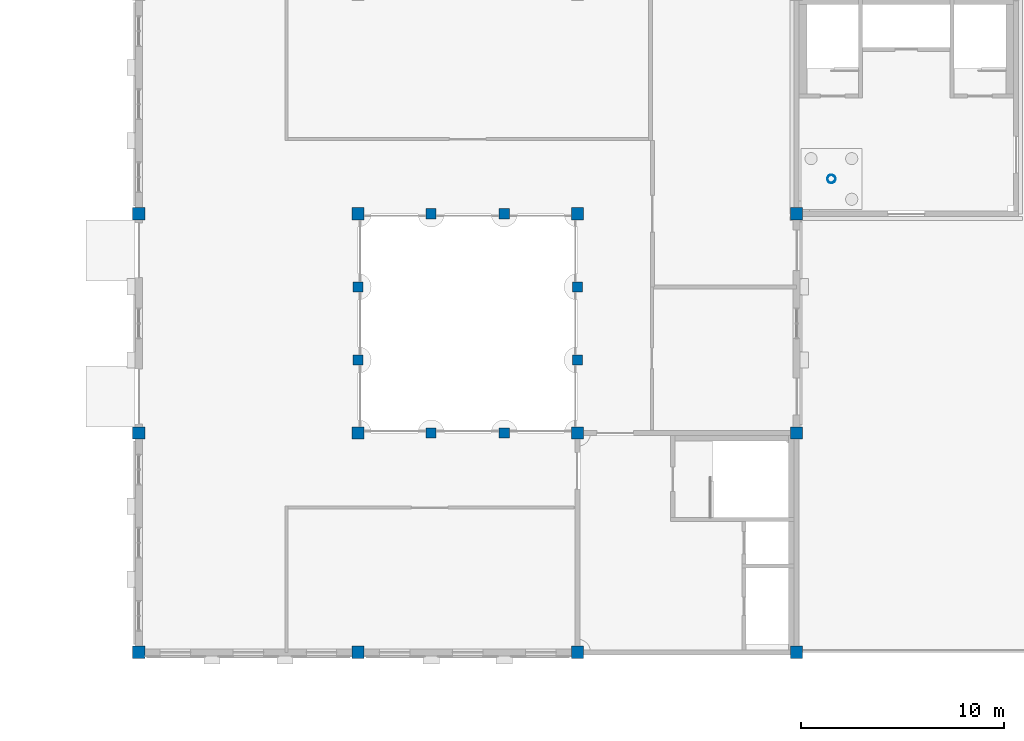
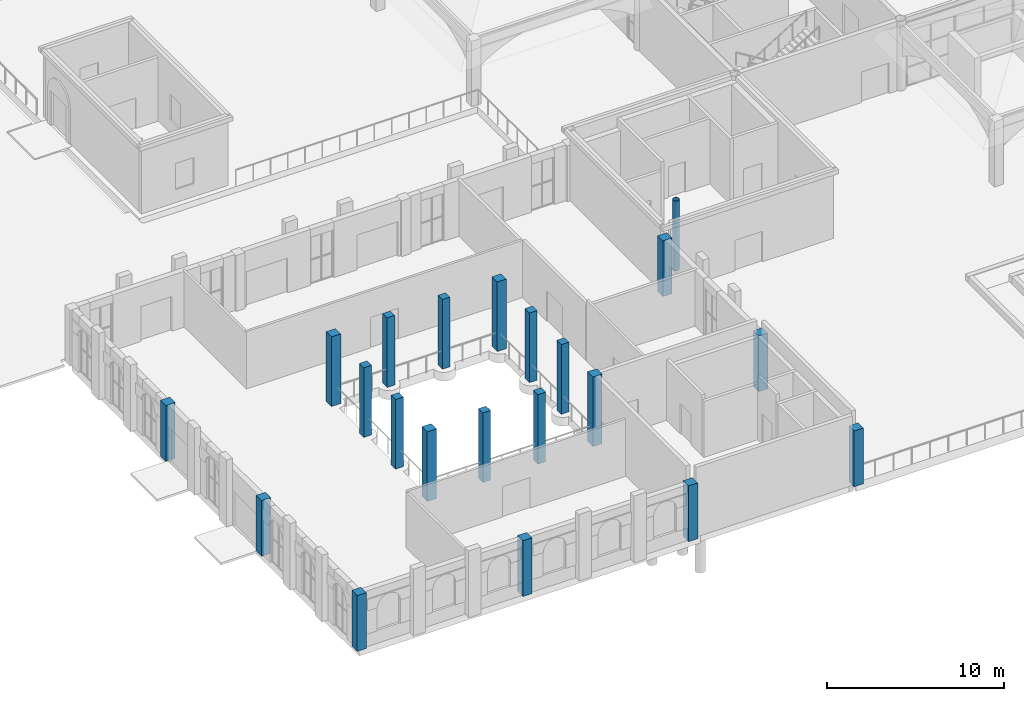
# One storey, part 2 of 91: 21 columns.
"""IFC4 building model written with IfcOpenShell, lengths in metres."""

from ifc_helpers import new_model, si_unit, direction, frame, origin, origin_2d, place, context, subcontext, project, spatial, rectangle, hollow_circle, extrude, material, material_profile, profile_set, type_object, element, save


model = new_model("IFC4")

# Units and contexts
model_context = context("Model", 3, precision=1e-05, world=origin(), true_north=direction((0.0, 1.0)))
body_context = subcontext(model_context, "Body", "Model", "MODEL_VIEW")
ifc_project = project(units=[si_unit("LENGTHUNIT", "METRE"), si_unit("AREAUNIT", "SQUARE_METRE"), si_unit("VOLUMEUNIT", "CUBIC_METRE"), si_unit("PLANEANGLEUNIT", "RADIAN"), si_unit("MASSUNIT", "GRAM", prefix="KILO")], contexts=[model_context])

# Site, building, storey
site_placement = place(None, origin())
site = spatial("IfcSite", under=ifc_project, at=site_placement, CompositionType="ELEMENT")
building_placement = place(site_placement, origin())
building = spatial("IfcBuilding", under=site, at=building_placement, Name="Magnolia Steps Interchange", CompositionType="ELEMENT")
storey_placement = place(building_placement, origin())
storey = spatial("IfcBuildingStorey", under=building, at=storey_placement, Name="L00", CompositionType="ELEMENT", Elevation=0.0)

# Columns
ifc_material_1 = material(Name="Concrete C40", Category="concrete")
ifc_material_profile_1 = material_profile(ifc_material_1, rectangle(XDim=0.5, YDim=0.5, at=origin_2d()), Name="RC500x500")
ifc_profile_set_1 = profile_set([ifc_material_profile_1], Name="Concrete C40")
column_type_1 = type_object("IfcColumnType", Name="RC column 500x500", PredefinedType="COLUMN", material=ifc_profile_set_1)
for number, where, z_axis, x_axis, name in (
    (1, (24.39990234375, 20.800048828125, 0.0), (0.0, 0.0, 1.0), (1.0, 0.0, 0.0), "Column HUB-PIER-S1 L00"),
    (2, (24.39990234375, 31.60009765625, 0.0), (0.0, 0.0, 1.0), (1.0, 0.0, 0.0), "Column HUB-PIER-N1 L00"),
    (3, (20.800048828125, 24.39990234375, 0.0), (0.0, 0.0, 1.0), (1.0, 0.0, 0.0), "Column HUB-PIER-W1 L00"),
    (4, (31.60009765625, 24.39990234375, 0.0), (0.0, 0.0, 1.0), (1.0, 0.0, 0.0), "Column HUB-PIER-E1 L00"),
    (5, (28.0, 20.800048828125, 0.0), (0.0, 0.0, 1.0), (1.0, 0.0, 0.0), "Column HUB-PIER-S2 L00"),
    (6, (28.0, 31.60009765625, 0.0), (0.0, 0.0, 1.0), (1.0, 0.0, 0.0), "Column HUB-PIER-N2 L00"),
    (7, (20.800048828125, 28.0, 0.0), (0.0, 0.0, 1.0), (1.0, 0.0, 0.0), "Column HUB-PIER-W2 L00"),
    (8, (31.60009765625, 28.0, 0.0), (0.0, 0.0, 1.0), (1.0, 0.0, 0.0), "Column HUB-PIER-E2 L00"),
):
    element("IfcColumn", number, at=place(storey_placement, frame(where, z_axis=z_axis, x_axis=x_axis)), inside=storey, type_object=column_type_1, Name=name, PredefinedType="COLUMN", context=body_context, shape_type="SweptSolid", body=[
        extrude(rectangle(XDim=0.5, YDim=0.5, at=origin_2d()), origin(), (0.0, 0.0, 1.0), 4.800048828125),
    ])
ifc_material_2 = material(Name="Concrete C40", Category="concrete")
ifc_material_profile_2 = material_profile(ifc_material_2, rectangle(XDim=0.60009765625, YDim=0.60009765625, at=origin_2d()), Name="RC600x600")
ifc_profile_set_2 = profile_set([ifc_material_profile_2], Name="Concrete C40")
column_type_2 = type_object("IfcColumnType", Name="RC column 600x600", PredefinedType="COLUMN", material=ifc_profile_set_2)
for number, where, z_axis, x_axis, name in (
    (9, (10.0, 10.0, 0.0), (0.0, 0.0, 1.0), (1.0, 0.0, 0.0), "Column CYC-1A L00"),
    (10, (10.0, 20.800048828125, 0.0), (0.0, 0.0, 1.0), (1.0, 0.0, 0.0), "Column CYC-1B L00"),
    (11, (10.0, 31.60009765625, 0.0), (0.0, 0.0, 1.0), (1.0, 0.0, 0.0), "Column CYC-1C L00"),
    (12, (20.800048828125, 10.0, 0.0), (0.0, 0.0, 1.0), (1.0, 0.0, 0.0), "Column CYC-2A L00"),
):
    element("IfcColumn", number, at=place(storey_placement, frame(where, z_axis=z_axis, x_axis=x_axis)), inside=storey, type_object=column_type_2, Name=name, PredefinedType="COLUMN", context=body_context, shape_type="SweptSolid", body=[
        extrude(rectangle(XDim=0.60009765625, YDim=0.60009765625, at=origin_2d()), origin(), (0.0, 0.0, 1.0), 3.85009765625),
    ])
for number, where, z_axis, x_axis, name in (
    (13, (20.800048828125, 20.800048828125, 0.0), (0.0, 0.0, 1.0), (1.0, 0.0, 0.0), "Column CYC-2B L00"),
    (14, (20.800048828125, 31.60009765625, 0.0), (0.0, 0.0, 1.0), (1.0, 0.0, 0.0), "Column CYC-2C L00"),
):
    element("IfcColumn", number, at=place(storey_placement, frame(where, z_axis=z_axis, x_axis=x_axis)), inside=storey, type_object=column_type_2, Name=name, PredefinedType="COLUMN", context=body_context, shape_type="SweptSolid", body=[
        extrude(rectangle(XDim=0.60009765625, YDim=0.60009765625, at=origin_2d()), origin(), (0.0, 0.0, 1.0), 4.800048828125),
    ])
column_1_placement = place(storey_placement, frame((31.60009765625, 10.0, 0.0), z_axis=(0.0, 0.0, 1.0), x_axis=(1.0, 0.0, 0.0)))
element("IfcColumn", 15, at=column_1_placement, inside=storey, type_object=column_type_2, Name="Column CYC-3A L00", PredefinedType="COLUMN", context=body_context, shape_type="SweptSolid", body=[
    extrude(rectangle(XDim=0.60009765625, YDim=0.60009765625, at=origin_2d()), origin(), (0.0, 0.0, 1.0), 3.85009765625),
])
for number, where, z_axis, x_axis, name in (
    (16, (31.60009765625, 20.800048828125, 0.0), (0.0, 0.0, 1.0), (1.0, 0.0, 0.0), "Column CYC-3B L00"),
    (17, (31.60009765625, 31.60009765625, 0.0), (0.0, 0.0, 1.0), (1.0, 0.0, 0.0), "Column CYC-3C L00"),
):
    element("IfcColumn", number, at=place(storey_placement, frame(where, z_axis=z_axis, x_axis=x_axis)), inside=storey, type_object=column_type_2, Name=name, PredefinedType="COLUMN", context=body_context, shape_type="SweptSolid", body=[
        extrude(rectangle(XDim=0.60009765625, YDim=0.60009765625, at=origin_2d()), origin(), (0.0, 0.0, 1.0), 4.800048828125),
    ])
for number, where, z_axis, x_axis, name in (
    (18, (42.39990234375, 10.0, 0.0), (0.0, 0.0, 1.0), (1.0, 0.0, 0.0), "Column CYC-4A L00"),
    (19, (42.39990234375, 20.800048828125, 0.0), (0.0, 0.0, 1.0), (1.0, 0.0, 0.0), "Column CYC-4B L00"),
    (20, (42.39990234375, 31.60009765625, 0.0), (0.0, 0.0, 1.0), (1.0, 0.0, 0.0), "Column CYC-4C L00"),
):
    element("IfcColumn", number, at=place(storey_placement, frame(where, z_axis=z_axis, x_axis=x_axis)), inside=storey, type_object=column_type_2, Name=name, PredefinedType="COLUMN", context=body_context, shape_type="SweptSolid", body=[
        extrude(rectangle(XDim=0.60009765625, YDim=0.60009765625, at=origin_2d()), origin(), (0.0, 0.0, 1.0), 3.85009765625),
    ])
ifc_material_3 = material(Name="Steel Q355B", Category="steel")
ifc_material_profile_3 = material_profile(ifc_material_3, hollow_circle(Radius=0.202880859375, WallThickness=0.01611328125, at=origin_2d()), Name="CHS406x16")
ifc_profile_set_3 = profile_set([ifc_material_profile_3], Name="Steel Q355B")
column_type_3 = type_object("IfcColumnType", Name="Truss tip prop CHS406x16", PredefinedType="COLUMN", material=ifc_profile_set_3)
column_2_placement = place(storey_placement, frame((44.11376953125, 33.313720703125, 0.0), z_axis=(0.0, 0.0, 1.0), x_axis=(1.0, 0.0, 0.0)))
element("IfcColumn", 21, at=column_2_placement, inside=storey, type_object=column_type_3, Name="Tip prop SP-H-SW", PredefinedType="COLUMN", context=body_context, shape_type="SweptSolid", body=[
    extrude(hollow_circle(Radius=0.202880859375, WallThickness=0.01611328125, at=origin_2d()), origin(), (0.0, 0.0, 1.0), 4.800048828125),
])

save(model, "model.ifc")
